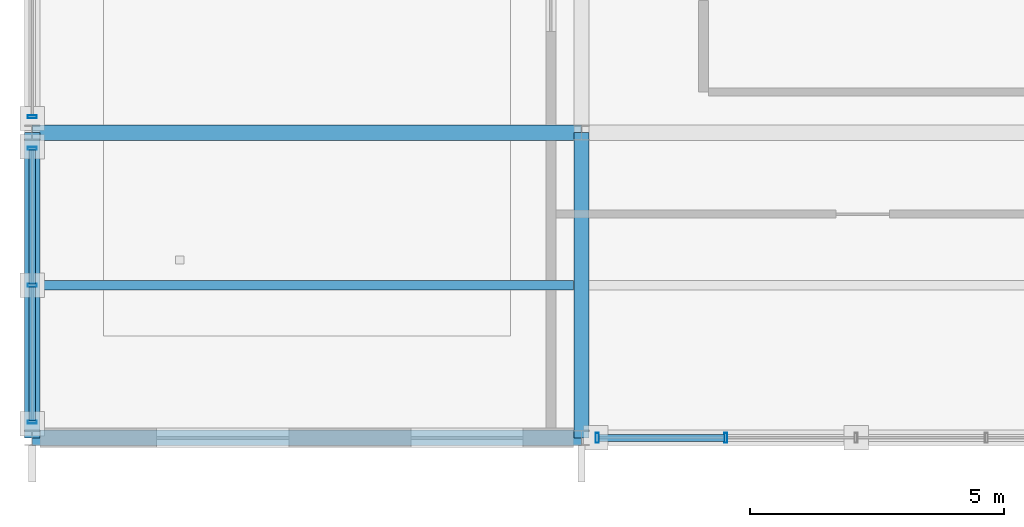
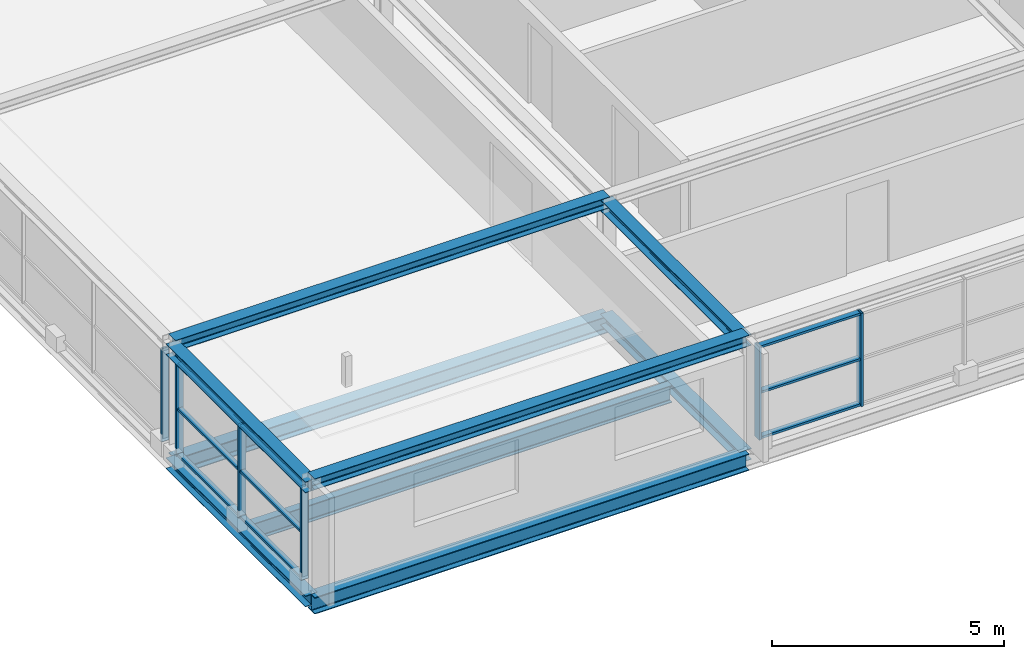
# One storey, part 3 of 14: 15 members, 9 beams, 3 elements without a shape of their own.
"""IFC4 building model written with IfcOpenShell, lengths in metres."""

from ifc_helpers import new_model, si_unit, direction, frame, origin, origin_2d, place, context, subcontext, project, spatial, hollow_rectangle, i_section, extrude, material, material_profile, profile_set, type_object, element, aggregate, save


model = new_model("IFC4")

# Units and contexts
model_context = context("Model", 3, precision=1e-05, world=origin(), true_north=direction((0.0, 1.0)))
body_context = subcontext(model_context, "Body", "Model", "MODEL_VIEW")
ifc_project = project(units=[si_unit("LENGTHUNIT", "METRE"), si_unit("AREAUNIT", "SQUARE_METRE"), si_unit("VOLUMEUNIT", "CUBIC_METRE"), si_unit("PLANEANGLEUNIT", "RADIAN"), si_unit("MASSUNIT", "GRAM", prefix="KILO")], contexts=[model_context])

# Site, building, storey
site_placement = place(None, origin())
site = spatial("IfcSite", under=ifc_project, at=site_placement, CompositionType="ELEMENT")
building_placement = place(site_placement, origin())
building = spatial("IfcBuilding", under=site, at=building_placement, Name="Merenkruunu Market Hall", CompositionType="ELEMENT")
storey_placement = place(building_placement, frame((0.0, 0.0, 18.60009765625)))
storey = spatial("IfcBuildingStorey", under=building, at=storey_placement, Name="L04", CompositionType="ELEMENT", Elevation=18.60009765625)

# Curtain wall, members
ifc_material_1 = material(Name="Powder-coated aluminium", Category="aluminium")
curtain_wall_type = type_object("IfcCurtainWallType", Name="Glazed Curtain Wall CW08", PredefinedType="USERDEFINED", material=ifc_material_1)
curtain_wall_1_placement = place(storey_placement, origin())
curtain_wall_1 = element("IfcCurtainWall", 1, at=curtain_wall_1_placement, inside=storey, type_object=curtain_wall_type, Name="CW-L04-CWM02-225", ObjectType="GLAZED_FACADE", PredefinedType="USERDEFINED")
ifc_material_profile_1 = material_profile(ifc_material_1, hollow_rectangle(XDim=0.06005859375, YDim=0.179931640625, WallThickness=0.00390625, at=origin_2d()), Name="ALU 60x180x4")
ifc_profile_set_1 = profile_set([ifc_material_profile_1], Name="Powder-coated aluminium")
member_type_1 = type_object("IfcMemberType", Name="Curtain Wall Mullion CWM02", PredefinedType="MULLION", material=ifc_profile_set_1)
member_1_placement = place(storey_placement, frame((159.60009765625, 0.31005859375, 0.0), z_axis=(0.0, 0.0, 1.0), x_axis=(0.0, 1.0, 0.0)))
member_1 = element("IfcMember", 2, at=member_1_placement, type_object=member_type_1, Name="CW08 mullion 1", PredefinedType="MULLION", context=body_context, shape_type="SweptSolid", body=[
    extrude(hollow_rectangle(XDim=0.06005859375, YDim=0.179931640625, WallThickness=0.00390625, at=origin_2d()), origin(), (0.0, 0.0, 1.0), 2.449951171875),
])
member_2_placement = place(storey_placement, frame((159.60009765625, 3.0, 0.0), z_axis=(0.0, 0.0, 1.0), x_axis=(0.0, 1.0, 0.0)))
member_2 = element("IfcMember", 3, at=member_2_placement, type_object=member_type_1, Name="CW08 mullion 2", PredefinedType="MULLION", context=body_context, shape_type="SweptSolid", body=[
    extrude(hollow_rectangle(XDim=0.06005859375, YDim=0.179931640625, WallThickness=0.00390625, at=origin_2d()), origin(), (0.0, 0.0, 1.0), 2.449951171875),
])
member_3_placement = place(storey_placement, frame((159.60009765625, 5.68994140625, 0.0), z_axis=(0.0, 0.0, 1.0), x_axis=(0.0, 1.0, 0.0)))
member_3 = element("IfcMember", 4, at=member_3_placement, type_object=member_type_1, Name="CW08 mullion 3", PredefinedType="MULLION", context=body_context, shape_type="SweptSolid", body=[
    extrude(hollow_rectangle(XDim=0.06005859375, YDim=0.179931640625, WallThickness=0.00390625, at=origin_2d()), origin(), (0.0, 0.0, 1.0), 2.449951171875),
])

# Curtain wall, member
curtain_wall_2_placement = place(storey_placement, origin())
curtain_wall_2 = element("IfcCurtainWall", 5, at=curtain_wall_2_placement, inside=storey, type_object=curtain_wall_type, Name="CW-L04-CWM02-226", ObjectType="GLAZED_FACADE", PredefinedType="USERDEFINED")
member_4_placement = place(storey_placement, frame((159.60009765625, 6.31005859375, 0.0), z_axis=(0.0, 0.0, 1.0), x_axis=(0.0, 1.0, 0.0)))
member_4 = element("IfcMember", 6, at=member_4_placement, type_object=member_type_1, Name="CW08 mullion 1", PredefinedType="MULLION", context=body_context, shape_type="SweptSolid", body=[
    extrude(hollow_rectangle(XDim=0.06005859375, YDim=0.179931640625, WallThickness=0.00390625, at=origin_2d()), origin(), (0.0, 0.0, 1.0), 2.449951171875),
])
aggregate(curtain_wall_2, [member_4])

# Curtain wall, members
curtain_wall_3_placement = place(storey_placement, origin())
curtain_wall_3 = element("IfcCurtainWall", 7, at=curtain_wall_3_placement, inside=storey, type_object=curtain_wall_type, Name="CW-L04-CWM03-223", ObjectType="GLAZED_FACADE", PredefinedType="USERDEFINED")
ifc_material_profile_2 = material_profile(ifc_material_1, hollow_rectangle(XDim=0.06005859375, YDim=0.199951171875, WallThickness=0.0048828125, at=origin_2d()), Name="ALU 60x200x5")
ifc_profile_set_2 = profile_set([ifc_material_profile_2], Name="Powder-coated aluminium")
member_type_2 = type_object("IfcMemberType", Name="Curtain Wall Mullion CWM03", PredefinedType="MULLION", material=ifc_profile_set_2)
member_5_placement = place(storey_placement, frame((173.239990234375, 0.0, 0.0), z_axis=(0.0, 0.0, 1.0), x_axis=(-1.0, 0.0, 0.0)))
member_5 = element("IfcMember", 8, at=member_5_placement, type_object=member_type_2, Name="CW08 mullion 4", PredefinedType="MULLION", context=body_context, shape_type="SweptSolid", body=[
    extrude(hollow_rectangle(XDim=0.06005859375, YDim=0.199951171875, WallThickness=0.0048828125, at=origin_2d()), origin(), (0.0, 0.0, 1.0), 2.449951171875),
])
member_6_placement = place(storey_placement, frame((170.7099609375, 0.0, 0.0), z_axis=(0.0, 0.0, 1.0), x_axis=(-1.0, 0.0, 0.0)))
member_6 = element("IfcMember", 9, at=member_6_placement, type_object=member_type_2, Name="CW08 mullion 5", PredefinedType="MULLION", context=body_context, shape_type="SweptSolid", body=[
    extrude(hollow_rectangle(XDim=0.06005859375, YDim=0.199951171875, WallThickness=0.0048828125, at=origin_2d()), origin(), (0.0, 0.0, 1.0), 2.449951171875),
])

# Member
ifc_material_profile_3 = material_profile(ifc_material_1, hollow_rectangle(XDim=0.06005859375, YDim=0.125, WallThickness=0.00390625, at=origin_2d()), Name="ALU 60x125x4")
ifc_profile_set_3 = profile_set([ifc_material_profile_3], Name="Powder-coated aluminium")
member_type_3 = type_object("IfcMemberType", Name="Curtain Wall Transom CWT01", PredefinedType="USERDEFINED", material=ifc_profile_set_3)
member_7_placement = place(storey_placement, frame((159.60009765625, 0.340087890625, 0.02978515625), z_axis=(0.0, 1.0, 0.0), x_axis=(0.0, 0.0, 1.0)))
member_7 = element("IfcMember", 10, at=member_7_placement, type_object=member_type_3, Name="CW08 transom 1.1", ObjectType="TRANSOM", PredefinedType="USERDEFINED", context=body_context, shape_type="SweptSolid", body=[
    extrude(hollow_rectangle(XDim=0.06005859375, YDim=0.125, WallThickness=0.00390625, at=origin_2d()), origin(), (0.0, 0.0, 1.0), 2.6298828125),
])

member_8_placement = place(storey_placement, frame((159.60009765625, 0.340087890625, 1.224853515625), z_axis=(0.0, 1.0, 0.0), x_axis=(0.0, 0.0, 1.0)))
member_8 = element("IfcMember", 11, at=member_8_placement, type_object=member_type_3, Name="CW08 transom 1.2", ObjectType="TRANSOM", PredefinedType="USERDEFINED", context=body_context, shape_type="SweptSolid", body=[
    extrude(hollow_rectangle(XDim=0.06005859375, YDim=0.125, WallThickness=0.00390625, at=origin_2d()), origin(), (0.0, 0.0, 1.0), 2.6298828125),
])

member_9_placement = place(storey_placement, frame((159.60009765625, 0.340087890625, 2.419921875), z_axis=(0.0, 1.0, 0.0), x_axis=(0.0, 0.0, 1.0)))
member_9 = element("IfcMember", 12, at=member_9_placement, type_object=member_type_3, Name="CW08 transom 1.3", ObjectType="TRANSOM", PredefinedType="USERDEFINED", context=body_context, shape_type="SweptSolid", body=[
    extrude(hollow_rectangle(XDim=0.06005859375, YDim=0.125, WallThickness=0.00390625, at=origin_2d()), origin(), (0.0, 0.0, 1.0), 2.6298828125),
])

member_10_placement = place(storey_placement, frame((159.60009765625, 3.030029296875, 0.02978515625), z_axis=(0.0, 1.0, 0.0), x_axis=(0.0, 0.0, 1.0)))
member_10 = element("IfcMember", 13, at=member_10_placement, type_object=member_type_3, Name="CW08 transom 2.1", ObjectType="TRANSOM", PredefinedType="USERDEFINED", context=body_context, shape_type="SweptSolid", body=[
    extrude(hollow_rectangle(XDim=0.06005859375, YDim=0.125, WallThickness=0.00390625, at=origin_2d()), origin(), (0.0, 0.0, 1.0), 2.6298828125),
])

member_11_placement = place(storey_placement, frame((159.60009765625, 3.030029296875, 1.224853515625), z_axis=(0.0, 1.0, 0.0), x_axis=(0.0, 0.0, 1.0)))
member_11 = element("IfcMember", 14, at=member_11_placement, type_object=member_type_3, Name="CW08 transom 2.2", ObjectType="TRANSOM", PredefinedType="USERDEFINED", context=body_context, shape_type="SweptSolid", body=[
    extrude(hollow_rectangle(XDim=0.06005859375, YDim=0.125, WallThickness=0.00390625, at=origin_2d()), origin(), (0.0, 0.0, 1.0), 2.6298828125),
])

member_12_placement = place(storey_placement, frame((159.60009765625, 3.030029296875, 2.419921875), z_axis=(0.0, 1.0, 0.0), x_axis=(0.0, 0.0, 1.0)))
member_12 = element("IfcMember", 15, at=member_12_placement, type_object=member_type_3, Name="CW08 transom 2.3", ObjectType="TRANSOM", PredefinedType="USERDEFINED", context=body_context, shape_type="SweptSolid", body=[
    extrude(hollow_rectangle(XDim=0.06005859375, YDim=0.125, WallThickness=0.00390625, at=origin_2d()), origin(), (0.0, 0.0, 1.0), 2.6298828125),
])

aggregate(curtain_wall_1, [member_1, member_2, member_3, member_7, member_8, member_9, member_10, member_11, member_12])

ifc_material_profile_4 = material_profile(ifc_material_1, hollow_rectangle(XDim=0.06005859375, YDim=0.139892578125, WallThickness=0.00390625, at=origin_2d()), Name="ALU 60x140x4")
ifc_profile_set_4 = profile_set([ifc_material_profile_4], Name="Powder-coated aluminium")
member_type_4 = type_object("IfcMemberType", Name="Curtain Wall Transom CWT02", PredefinedType="USERDEFINED", material=ifc_profile_set_4)
member_13_placement = place(storey_placement, frame((173.2099609375, 0.0, 0.02978515625), z_axis=(-1.0, 0.0, 0.0), x_axis=(0.0, 0.0, 1.0)))
member_13 = element("IfcMember", 16, at=member_13_placement, type_object=member_type_4, Name="CW08 transom 4.1", ObjectType="TRANSOM", PredefinedType="USERDEFINED", context=body_context, shape_type="SweptSolid", body=[
    extrude(hollow_rectangle(XDim=0.06005859375, YDim=0.139892578125, WallThickness=0.00390625, at=origin_2d()), origin(), (0.0, 0.0, 1.0), 2.469970703125),
])

member_14_placement = place(storey_placement, frame((173.2099609375, 0.0, 1.224853515625), z_axis=(-1.0, 0.0, 0.0), x_axis=(0.0, 0.0, 1.0)))
member_14 = element("IfcMember", 17, at=member_14_placement, type_object=member_type_4, Name="CW08 transom 4.2", ObjectType="TRANSOM", PredefinedType="USERDEFINED", context=body_context, shape_type="SweptSolid", body=[
    extrude(hollow_rectangle(XDim=0.06005859375, YDim=0.139892578125, WallThickness=0.00390625, at=origin_2d()), origin(), (0.0, 0.0, 1.0), 2.469970703125),
])

member_15_placement = place(storey_placement, frame((173.2099609375, 0.0, 2.419921875), z_axis=(-1.0, 0.0, 0.0), x_axis=(0.0, 0.0, 1.0)))
member_15 = element("IfcMember", 18, at=member_15_placement, type_object=member_type_4, Name="CW08 transom 4.3", ObjectType="TRANSOM", PredefinedType="USERDEFINED", context=body_context, shape_type="SweptSolid", body=[
    extrude(hollow_rectangle(XDim=0.06005859375, YDim=0.139892578125, WallThickness=0.00390625, at=origin_2d()), origin(), (0.0, 0.0, 1.0), 2.469970703125),
])

aggregate(curtain_wall_3, [member_5, member_6, member_13, member_14, member_15])

# Beams
ifc_material_2 = material(Name="Steel S355J2", Category="steel")
ifc_material_profile_5 = material_profile(ifc_material_2, i_section(OverallWidth=0.300048828125, OverallDepth=0.43994140625, WebThickness=0.011474609375, FlangeThickness=0.02099609375, FilletRadius=0.027099609375, at=origin_2d()), Name="HEA 450")
ifc_profile_set_5 = profile_set([ifc_material_profile_5], Name="Steel S355J2")
beam_type_1 = type_object("IfcBeamType", Name="Primary Floor Girder B07", PredefinedType="BEAM", material=ifc_profile_set_5)
for number, where, z_axis, x_axis, name in (
    (19, (159.60009765625, 0.0, -0.440185546875), (1.0, 0.0, 0.0), (0.0, 1.0, 0.0), "BM-L04-B07-0915"),
    (20, (159.60009765625, 6.0, -0.440185546875), (1.0, 0.0, 0.0), (0.0, 1.0, 0.0), "BM-L04-B07-0918"),
):
    element("IfcBeam", number, at=place(storey_placement, frame(where, z_axis=z_axis, x_axis=x_axis)), inside=storey, type_object=beam_type_1, Name=name, PredefinedType="BEAM", context=body_context, shape_type="SweptSolid", body=[
        extrude(i_section(OverallWidth=0.300048828125, OverallDepth=0.43994140625, WebThickness=0.011474609375, FlangeThickness=0.02099609375, FilletRadius=0.027099609375, at=origin_2d()), origin(), (0.0, 0.0, 1.0), 10.7998046875),
    ])
ifc_material_profile_6 = material_profile(ifc_material_2, i_section(OverallWidth=0.300048828125, OverallDepth=0.2900390625, WebThickness=0.008544921875, FlangeThickness=0.013916015625, FilletRadius=0.027099609375, at=origin_2d()), Name="HEA 300")
ifc_profile_set_6 = profile_set([ifc_material_profile_6], Name="Steel S355J2")
beam_type_2 = type_object("IfcBeamType", Name="Primary Floor Girder B09", PredefinedType="BEAM", material=ifc_profile_set_6)
for number, where, z_axis, x_axis, name in (
    (21, (159.60009765625, 0.0, -0.364990234375), (0.0, 1.0, 0.0), (-1.0, 0.0, 0.0), "BM-L04-B09-0930"),
    (22, (170.39990234375, 0.0, -0.364990234375), (0.0, 1.0, 0.0), (-1.0, 0.0, 0.0), "BM-L04-B09-0934"),
):
    element("IfcBeam", number, at=place(storey_placement, frame(where, z_axis=z_axis, x_axis=x_axis)), inside=storey, type_object=beam_type_2, Name=name, PredefinedType="BEAM", context=body_context, shape_type="SweptSolid", body=[
        extrude(i_section(OverallWidth=0.300048828125, OverallDepth=0.2900390625, WebThickness=0.008544921875, FlangeThickness=0.013916015625, FilletRadius=0.027099609375, at=origin_2d()), origin(), (0.0, 0.0, 1.0), 6.0),
    ])
for number, where, z_axis, x_axis, name in (
    (23, (159.60009765625, 0.0, 2.7548828125), (1.0, 0.0, 0.0), (0.0, 1.0, 0.0), "BM-L04-B09-1309"),
    (24, (159.60009765625, 6.0, 2.7548828125), (1.0, 0.0, 0.0), (0.0, 1.0, 0.0), "BM-L04-B09-1312"),
):
    element("IfcBeam", number, at=place(storey_placement, frame(where, z_axis=z_axis, x_axis=x_axis)), inside=storey, type_object=beam_type_2, Name=name, PredefinedType="BEAM", context=body_context, shape_type="SweptSolid", body=[
        extrude(i_section(OverallWidth=0.300048828125, OverallDepth=0.2900390625, WebThickness=0.008544921875, FlangeThickness=0.013916015625, FilletRadius=0.027099609375, at=origin_2d()), origin(), (0.0, 0.0, 1.0), 10.7998046875),
    ])
for number, where, z_axis, x_axis, name in (
    (25, (159.60009765625, 0.0, 2.635009765625), (0.0, 1.0, 0.0), (-1.0, 0.0, 0.0), "BM-L04-B09-1321"),
    (26, (170.39990234375, 0.0, 2.635009765625), (0.0, 1.0, 0.0), (-1.0, 0.0, 0.0), "BM-L04-B09-1324"),
):
    element("IfcBeam", number, at=place(storey_placement, frame(where, z_axis=z_axis, x_axis=x_axis)), inside=storey, type_object=beam_type_2, Name=name, PredefinedType="BEAM", context=body_context, shape_type="SweptSolid", body=[
        extrude(i_section(OverallWidth=0.300048828125, OverallDepth=0.2900390625, WebThickness=0.008544921875, FlangeThickness=0.013916015625, FilletRadius=0.027099609375, at=origin_2d()), origin(), (0.0, 0.0, 1.0), 6.0),
    ])
ifc_material_profile_7 = material_profile(ifc_material_2, i_section(OverallWidth=0.18994140625, OverallDepth=0.449951171875, WebThickness=0.009521484375, FlangeThickness=0.0146484375, FilletRadius=0.02099609375, at=origin_2d()), Name="IPE 450")
ifc_profile_set_7 = profile_set([ifc_material_profile_7], Name="Steel S355J2")
beam_type_3 = type_object("IfcBeamType", Name="Secondary Floor Joist J01", PredefinedType="JOIST", material=ifc_profile_set_7)
beam_placement = place(storey_placement, frame((159.7529296875, 3.0, -0.445068359375), z_axis=(1.0, 0.0, 0.0), x_axis=(0.0, 1.0, 0.0)))
element("IfcBeam", 27, at=beam_placement, inside=storey, type_object=beam_type_3, Name="BM-L04-J01-0946", PredefinedType="JOIST", context=body_context, shape_type="SweptSolid", body=[
    extrude(i_section(OverallWidth=0.18994140625, OverallDepth=0.449951171875, WebThickness=0.009521484375, FlangeThickness=0.0146484375, FilletRadius=0.02099609375, at=origin_2d()), origin(), (0.0, 0.0, 1.0), 10.494140625),
])

save(model, "model.ifc")
